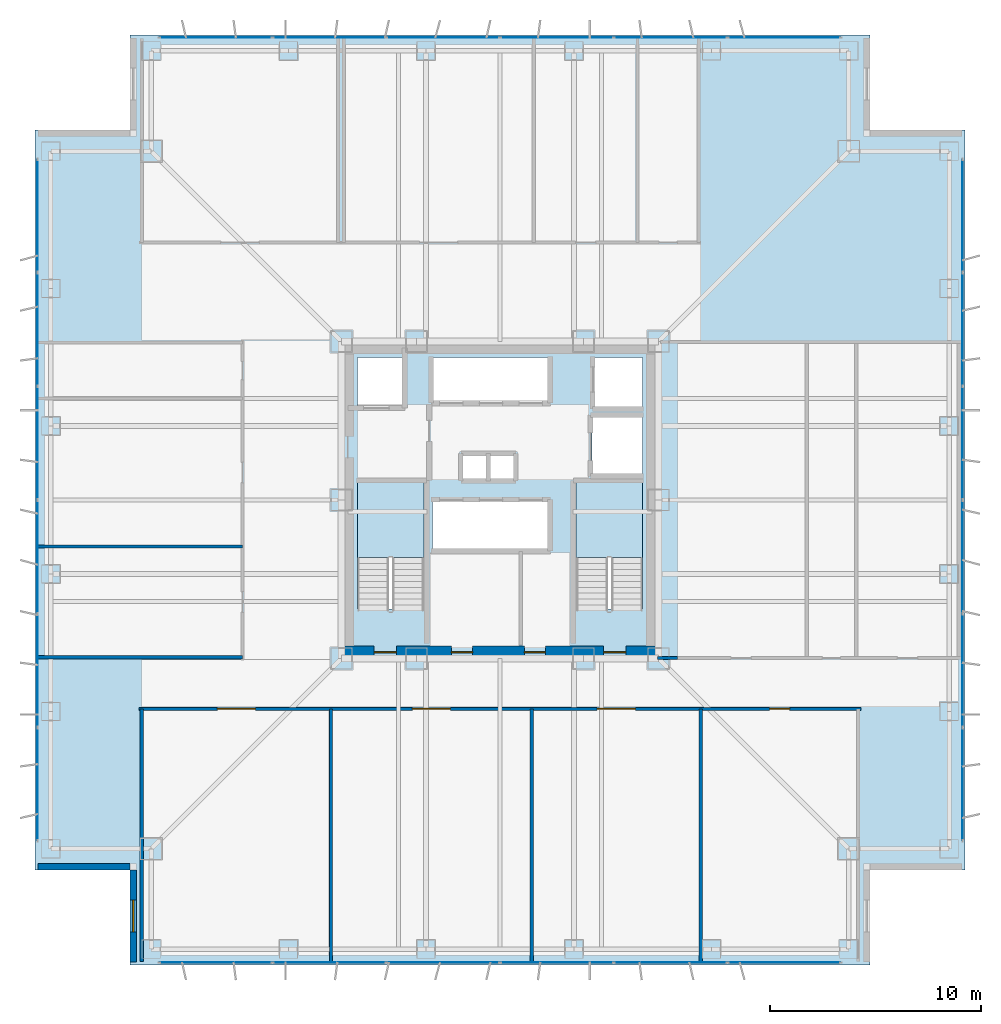
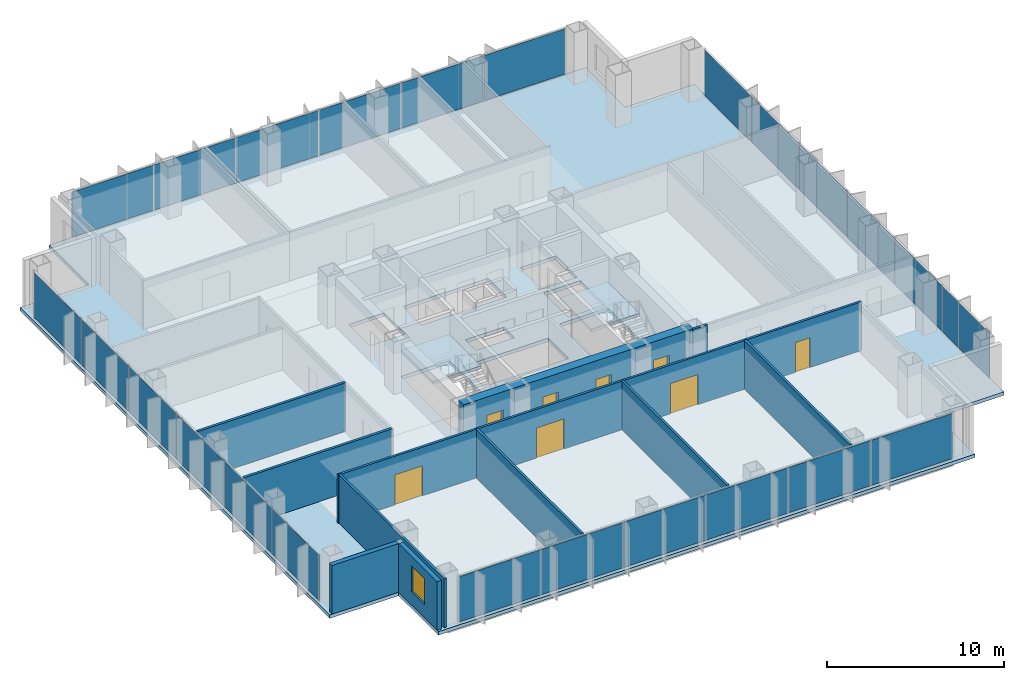
# One storey, part 9 of 14: 24 plates, 11 walls, 8 doors, 3 slabs, 1 window, 9 openings, 6 elements without a shape of their own.
"""IFC4 building model written with IfcOpenShell, lengths in metres."""

from ifc_helpers import new_model, si_unit, direction, frame, frame_2d, origin, origin_2d, place, context, subcontext, project, spatial, polyline, rectangle, outline, extrude, material, layer, layer_set, type_object, element, fill, aggregate, save


model = new_model("IFC4")

# Units and contexts
model_context = context("Model", 3, precision=1e-05, world=origin(), true_north=direction((0.0, 1.0)))
body_context = subcontext(model_context, "Body", "Model", "MODEL_VIEW")
ifc_project = project(units=[si_unit("LENGTHUNIT", "METRE"), si_unit("AREAUNIT", "SQUARE_METRE"), si_unit("VOLUMEUNIT", "CUBIC_METRE"), si_unit("PLANEANGLEUNIT", "RADIAN"), si_unit("MASSUNIT", "GRAM", prefix="KILO")], contexts=[model_context])

# Site, building, storey
site_placement = place(None, origin())
site = spatial("IfcSite", under=ifc_project, at=site_placement, CompositionType="ELEMENT")
building_placement = place(site_placement, origin())
building = spatial("IfcBuilding", under=site, at=building_placement, Name="Trevonay Congress Spire", CompositionType="ELEMENT")
storey_placement = place(building_placement, frame((0.0, 0.0, 137.199951171875)))
storey = spatial("IfcBuildingStorey", under=building, at=storey_placement, Name="L35", CompositionType="ELEMENT", Elevation=137.199951171875)

# Curtain wall, plates
ifc_material_1 = material(Name="Pale Anodised Aluminium EN AW-6063-T6", Category="aluminium")
ifc_layer_1 = layer(ifc_material_1, 0.175048828125, Name="Pale Anodised Aluminium EN AW-6063-T6")
ifc_layer_set_1 = layer_set([ifc_layer_1], Name="Pale Anodised Aluminium EN AW-6063-T6")
curtain_wall_type = type_object("IfcCurtainWallType", Name="CW-SYS03-CONGRESS-PALE-METAL", PredefinedType="NOTDEFINED", material=ifc_layer_set_1)
curtain_wall_1_placement = place(storey_placement, origin())
curtain_wall_1 = element("IfcCurtainWall", 1, at=curtain_wall_1_placement, inside=storey, type_object=curtain_wall_type, Name="L35 S unitised curtain wall", PredefinedType="NOTDEFINED")
ifc_material_2 = material(Name="Insulated Low-E Vision Glass IGU", Category="glass")
ifc_layer_2 = layer(ifc_material_2, 0.035888671875, Name="Insulated Low-E Vision Glass IGU")
ifc_layer_set_2 = layer_set([ifc_layer_2], Name="Insulated Low-E Vision Glass IGU")
plate_type = type_object("IfcPlateType", Name="CW-PANEL-IGU36-SILVER", PredefinedType="CURTAIN_PANEL", material=ifc_layer_set_2)
plate_1_placement = place(storey_placement, frame((-13.443359375, -21.8798828125, 0.119873046875), z_axis=(0.0, 0.0, 1.0), x_axis=(1.0, 0.0, 0.0)))
plate_1 = element("IfcPlate", 2, at=plate_1_placement, type_object=plate_type, Name="CW03 panel 1.1", PredefinedType="CURTAIN_PANEL", context=body_context, shape_type="SweptSolid", body=[
    extrude(rectangle(XDim=5.293212890625, YDim=0.035888671875, at=origin_2d()), origin(), (0.0, 0.0, 1.0), 3.1201171875),
])
plate_2_placement = place(storey_placement, frame((-8.074951171875, -21.8798828125, 0.119873046875), z_axis=(0.0, 0.0, 1.0), x_axis=(1.0, 0.0, 0.0)))
plate_2 = element("IfcPlate", 3, at=plate_2_placement, type_object=plate_type, Name="CW03 panel 2.1", PredefinedType="CURTAIN_PANEL", context=body_context, shape_type="SweptSolid", body=[
    extrude(rectangle(XDim=5.3232421875, YDim=0.035888671875, at=origin_2d()), origin(), (0.0, 0.0, 1.0), 3.1201171875),
])
plate_3_placement = place(storey_placement, frame((-2.691650390625, -21.8798828125, 0.119873046875), z_axis=(0.0, 0.0, 1.0), x_axis=(1.0, 0.0, 0.0)))
plate_3 = element("IfcPlate", 4, at=plate_3_placement, type_object=plate_type, Name="CW03 panel 3.1", PredefinedType="CURTAIN_PANEL", context=body_context, shape_type="SweptSolid", body=[
    extrude(rectangle(XDim=5.3232421875, YDim=0.035888671875, at=origin_2d()), origin(), (0.0, 0.0, 1.0), 3.1201171875),
])
plate_4_placement = place(storey_placement, frame((2.691650390625, -21.8798828125, 0.119873046875), z_axis=(0.0, 0.0, 1.0), x_axis=(1.0, 0.0, 0.0)))
plate_4 = element("IfcPlate", 5, at=plate_4_placement, type_object=plate_type, Name="CW03 panel 4.1", PredefinedType="CURTAIN_PANEL", context=body_context, shape_type="SweptSolid", body=[
    extrude(rectangle(XDim=5.3232421875, YDim=0.035888671875, at=origin_2d()), origin(), (0.0, 0.0, 1.0), 3.1201171875),
])
plate_5_placement = place(storey_placement, frame((8.074951171875, -21.8798828125, 0.119873046875), z_axis=(0.0, 0.0, 1.0), x_axis=(1.0, 0.0, 0.0)))
plate_5 = element("IfcPlate", 6, at=plate_5_placement, type_object=plate_type, Name="CW03 panel 5.1", PredefinedType="CURTAIN_PANEL", context=body_context, shape_type="SweptSolid", body=[
    extrude(rectangle(XDim=5.3232421875, YDim=0.035888671875, at=origin_2d()), origin(), (0.0, 0.0, 1.0), 3.1201171875),
])
plate_6_placement = place(storey_placement, frame((13.443359375, -21.8798828125, 0.119873046875), z_axis=(0.0, 0.0, 1.0), x_axis=(1.0, 0.0, 0.0)))
plate_6 = element("IfcPlate", 7, at=plate_6_placement, type_object=plate_type, Name="CW03 panel 6.1", PredefinedType="CURTAIN_PANEL", context=body_context, shape_type="SweptSolid", body=[
    extrude(rectangle(XDim=5.293212890625, YDim=0.035888671875, at=origin_2d()), origin(), (0.0, 0.0, 1.0), 3.1201171875),
])
aggregate(curtain_wall_1, [plate_1, plate_2, plate_3, plate_4, plate_5, plate_6])

curtain_wall_2_placement = place(storey_placement, origin())
curtain_wall_2 = element("IfcCurtainWall", 8, at=curtain_wall_2_placement, inside=storey, type_object=curtain_wall_type, Name="L35 N unitised curtain wall", PredefinedType="NOTDEFINED")
plate_7_placement = place(storey_placement, frame((-13.443359375, 21.8798828125, 0.119873046875), z_axis=(0.0, 0.0, 1.0), x_axis=(1.0, 0.0, 0.0)))
plate_7 = element("IfcPlate", 9, at=plate_7_placement, type_object=plate_type, Name="CW03 panel 1.1", PredefinedType="CURTAIN_PANEL", context=body_context, shape_type="SweptSolid", body=[
    extrude(rectangle(XDim=5.293212890625, YDim=0.035888671875, at=origin_2d()), origin(), (0.0, 0.0, 1.0), 3.1201171875),
])
plate_8_placement = place(storey_placement, frame((-8.074951171875, 21.8798828125, 0.119873046875), z_axis=(0.0, 0.0, 1.0), x_axis=(1.0, 0.0, 0.0)))
plate_8 = element("IfcPlate", 10, at=plate_8_placement, type_object=plate_type, Name="CW03 panel 2.1", PredefinedType="CURTAIN_PANEL", context=body_context, shape_type="SweptSolid", body=[
    extrude(rectangle(XDim=5.3232421875, YDim=0.035888671875, at=origin_2d()), origin(), (0.0, 0.0, 1.0), 3.1201171875),
])
plate_9_placement = place(storey_placement, frame((-2.691650390625, 21.8798828125, 0.119873046875), z_axis=(0.0, 0.0, 1.0), x_axis=(1.0, 0.0, 0.0)))
plate_9 = element("IfcPlate", 11, at=plate_9_placement, type_object=plate_type, Name="CW03 panel 3.1", PredefinedType="CURTAIN_PANEL", context=body_context, shape_type="SweptSolid", body=[
    extrude(rectangle(XDim=5.3232421875, YDim=0.035888671875, at=origin_2d()), origin(), (0.0, 0.0, 1.0), 3.1201171875),
])
plate_10_placement = place(storey_placement, frame((2.691650390625, 21.8798828125, 0.119873046875), z_axis=(0.0, 0.0, 1.0), x_axis=(1.0, 0.0, 0.0)))
plate_10 = element("IfcPlate", 12, at=plate_10_placement, type_object=plate_type, Name="CW03 panel 4.1", PredefinedType="CURTAIN_PANEL", context=body_context, shape_type="SweptSolid", body=[
    extrude(rectangle(XDim=5.3232421875, YDim=0.035888671875, at=origin_2d()), origin(), (0.0, 0.0, 1.0), 3.1201171875),
])
plate_11_placement = place(storey_placement, frame((8.074951171875, 21.8798828125, 0.119873046875), z_axis=(0.0, 0.0, 1.0), x_axis=(1.0, 0.0, 0.0)))
plate_11 = element("IfcPlate", 13, at=plate_11_placement, type_object=plate_type, Name="CW03 panel 5.1", PredefinedType="CURTAIN_PANEL", context=body_context, shape_type="SweptSolid", body=[
    extrude(rectangle(XDim=5.3232421875, YDim=0.035888671875, at=origin_2d()), origin(), (0.0, 0.0, 1.0), 3.1201171875),
])
plate_12_placement = place(storey_placement, frame((13.443359375, 21.8798828125, 0.119873046875), z_axis=(0.0, 0.0, 1.0), x_axis=(1.0, 0.0, 0.0)))
plate_12 = element("IfcPlate", 14, at=plate_12_placement, type_object=plate_type, Name="CW03 panel 6.1", PredefinedType="CURTAIN_PANEL", context=body_context, shape_type="SweptSolid", body=[
    extrude(rectangle(XDim=5.293212890625, YDim=0.035888671875, at=origin_2d()), origin(), (0.0, 0.0, 1.0), 3.1201171875),
])
aggregate(curtain_wall_2, [plate_7, plate_8, plate_9, plate_10, plate_11, plate_12])

curtain_wall_3_placement = place(storey_placement, origin())
curtain_wall_3 = element("IfcCurtainWall", 15, at=curtain_wall_3_placement, inside=storey, type_object=curtain_wall_type, Name="L35 W unitised curtain wall", PredefinedType="NOTDEFINED")
plate_13_placement = place(storey_placement, frame((-21.8798828125, -13.443359375, 0.119873046875), z_axis=(0.0, 0.0, 1.0), x_axis=(0.0, 1.0, 0.0)))
plate_13 = element("IfcPlate", 16, at=plate_13_placement, type_object=plate_type, Name="CW03 panel 1.1", PredefinedType="CURTAIN_PANEL", context=body_context, shape_type="SweptSolid", body=[
    extrude(rectangle(XDim=5.293212890625, YDim=0.035888671875, at=origin_2d()), origin(), (0.0, 0.0, 1.0), 3.1201171875),
])
plate_14_placement = place(storey_placement, frame((-21.8798828125, -8.074951171875, 0.119873046875), z_axis=(0.0, 0.0, 1.0), x_axis=(0.0, 1.0, 0.0)))
plate_14 = element("IfcPlate", 17, at=plate_14_placement, type_object=plate_type, Name="CW03 panel 2.1", PredefinedType="CURTAIN_PANEL", context=body_context, shape_type="SweptSolid", body=[
    extrude(rectangle(XDim=5.3232421875, YDim=0.035888671875, at=origin_2d()), origin(), (0.0, 0.0, 1.0), 3.1201171875),
])
plate_15_placement = place(storey_placement, frame((-21.8798828125, -2.691650390625, 0.119873046875), z_axis=(0.0, 0.0, 1.0), x_axis=(0.0, 1.0, 0.0)))
plate_15 = element("IfcPlate", 18, at=plate_15_placement, type_object=plate_type, Name="CW03 panel 3.1", PredefinedType="CURTAIN_PANEL", context=body_context, shape_type="SweptSolid", body=[
    extrude(rectangle(XDim=5.3232421875, YDim=0.035888671875, at=origin_2d()), origin(), (0.0, 0.0, 1.0), 3.1201171875),
])
plate_16_placement = place(storey_placement, frame((-21.8798828125, 2.691650390625, 0.119873046875), z_axis=(0.0, 0.0, 1.0), x_axis=(0.0, 1.0, 0.0)))
plate_16 = element("IfcPlate", 19, at=plate_16_placement, type_object=plate_type, Name="CW03 panel 4.1", PredefinedType="CURTAIN_PANEL", context=body_context, shape_type="SweptSolid", body=[
    extrude(rectangle(XDim=5.3232421875, YDim=0.035888671875, at=origin_2d()), origin(), (0.0, 0.0, 1.0), 3.1201171875),
])
plate_17_placement = place(storey_placement, frame((-21.8798828125, 8.074951171875, 0.119873046875), z_axis=(0.0, 0.0, 1.0), x_axis=(0.0, 1.0, 0.0)))
plate_17 = element("IfcPlate", 20, at=plate_17_placement, type_object=plate_type, Name="CW03 panel 5.1", PredefinedType="CURTAIN_PANEL", context=body_context, shape_type="SweptSolid", body=[
    extrude(rectangle(XDim=5.3232421875, YDim=0.035888671875, at=origin_2d()), origin(), (0.0, 0.0, 1.0), 3.1201171875),
])
plate_18_placement = place(storey_placement, frame((-21.8798828125, 13.443359375, 0.119873046875), z_axis=(0.0, 0.0, 1.0), x_axis=(0.0, 1.0, 0.0)))
plate_18 = element("IfcPlate", 21, at=plate_18_placement, type_object=plate_type, Name="CW03 panel 6.1", PredefinedType="CURTAIN_PANEL", context=body_context, shape_type="SweptSolid", body=[
    extrude(rectangle(XDim=5.293212890625, YDim=0.035888671875, at=origin_2d()), origin(), (0.0, 0.0, 1.0), 3.1201171875),
])
aggregate(curtain_wall_3, [plate_13, plate_14, plate_15, plate_16, plate_17, plate_18])

curtain_wall_4_placement = place(storey_placement, origin())
curtain_wall_4 = element("IfcCurtainWall", 22, at=curtain_wall_4_placement, inside=storey, type_object=curtain_wall_type, Name="L35 E unitised curtain wall", PredefinedType="NOTDEFINED")
plate_19_placement = place(storey_placement, frame((21.8798828125, -13.443359375, 0.119873046875), z_axis=(0.0, 0.0, 1.0), x_axis=(0.0, 1.0, 0.0)))
plate_19 = element("IfcPlate", 23, at=plate_19_placement, type_object=plate_type, Name="CW03 panel 1.1", PredefinedType="CURTAIN_PANEL", context=body_context, shape_type="SweptSolid", body=[
    extrude(rectangle(XDim=5.293212890625, YDim=0.035888671875, at=origin_2d()), origin(), (0.0, 0.0, 1.0), 3.1201171875),
])
plate_20_placement = place(storey_placement, frame((21.8798828125, -8.074951171875, 0.119873046875), z_axis=(0.0, 0.0, 1.0), x_axis=(0.0, 1.0, 0.0)))
plate_20 = element("IfcPlate", 24, at=plate_20_placement, type_object=plate_type, Name="CW03 panel 2.1", PredefinedType="CURTAIN_PANEL", context=body_context, shape_type="SweptSolid", body=[
    extrude(rectangle(XDim=5.3232421875, YDim=0.035888671875, at=origin_2d()), origin(), (0.0, 0.0, 1.0), 3.1201171875),
])
plate_21_placement = place(storey_placement, frame((21.8798828125, -2.691650390625, 0.119873046875), z_axis=(0.0, 0.0, 1.0), x_axis=(0.0, 1.0, 0.0)))
plate_21 = element("IfcPlate", 25, at=plate_21_placement, type_object=plate_type, Name="CW03 panel 3.1", PredefinedType="CURTAIN_PANEL", context=body_context, shape_type="SweptSolid", body=[
    extrude(rectangle(XDim=5.3232421875, YDim=0.035888671875, at=origin_2d()), origin(), (0.0, 0.0, 1.0), 3.1201171875),
])
plate_22_placement = place(storey_placement, frame((21.8798828125, 2.691650390625, 0.119873046875), z_axis=(0.0, 0.0, 1.0), x_axis=(0.0, 1.0, 0.0)))
plate_22 = element("IfcPlate", 26, at=plate_22_placement, type_object=plate_type, Name="CW03 panel 4.1", PredefinedType="CURTAIN_PANEL", context=body_context, shape_type="SweptSolid", body=[
    extrude(rectangle(XDim=5.3232421875, YDim=0.035888671875, at=origin_2d()), origin(), (0.0, 0.0, 1.0), 3.1201171875),
])
plate_23_placement = place(storey_placement, frame((21.8798828125, 8.074951171875, 0.119873046875), z_axis=(0.0, 0.0, 1.0), x_axis=(0.0, 1.0, 0.0)))
plate_23 = element("IfcPlate", 27, at=plate_23_placement, type_object=plate_type, Name="CW03 panel 5.1", PredefinedType="CURTAIN_PANEL", context=body_context, shape_type="SweptSolid", body=[
    extrude(rectangle(XDim=5.3232421875, YDim=0.035888671875, at=origin_2d()), origin(), (0.0, 0.0, 1.0), 3.1201171875),
])
plate_24_placement = place(storey_placement, frame((21.8798828125, 13.443359375, 0.119873046875), z_axis=(0.0, 0.0, 1.0), x_axis=(0.0, 1.0, 0.0)))
plate_24 = element("IfcPlate", 28, at=plate_24_placement, type_object=plate_type, Name="CW03 panel 6.1", PredefinedType="CURTAIN_PANEL", context=body_context, shape_type="SweptSolid", body=[
    extrude(rectangle(XDim=5.293212890625, YDim=0.035888671875, at=origin_2d()), origin(), (0.0, 0.0, 1.0), 3.1201171875),
])
aggregate(curtain_wall_4, [plate_19, plate_20, plate_21, plate_22, plate_23, plate_24])

# Stair, slab
ifc_material_3 = material(Name="Concrete C40/50", Category="concrete")
stair_type_1 = type_object("IfcStairType", Name="STR-ST-1", PredefinedType="HALF_TURN_STAIR", material=ifc_material_3)
stair_1_placement = place(storey_placement, origin())
stair_1 = element("IfcStair", 29, at=stair_1_placement, inside=storey, type_object=stair_type_1, Name="L35 Protected Exit Stair ST-1", PredefinedType="HALF_TURN_STAIR")
ifc_layer_3 = layer(ifc_material_3, 0.199951171875, Name="Concrete C40/50")
ifc_layer_set_3 = layer_set([ifc_layer_3], Name="Concrete C40/50")
slab_type_1 = type_object("IfcSlabType", Name="SLB-STAIR-LAND-200", PredefinedType="LANDING", material=ifc_layer_set_3)
slab_1_placement = place(storey_placement, frame((0.0, 0.0, 1.60009765625)))
slab_1 = element("IfcSlab", 30, at=slab_1_placement, type_object=slab_type_1, Name="ST-1 landing 1", PredefinedType="LANDING", context=body_context, shape_type="SweptSolid", body=[
    extrude(outline(polyline([(-3.60009765625, -2.72998046875), (-3.60009765625, 0.85009765625), (-6.75, 0.85009765625), (-6.75, -2.72998046875), (-3.60009765625, -2.72998046875)])), origin(), (0.0, 0.0, 1.0), 0.199951171875),
])
aggregate(stair_1, [slab_1])

stair_type_2 = type_object("IfcStairType", Name="STR-ST-2", PredefinedType="HALF_TURN_STAIR", material=ifc_material_3)
stair_2_placement = place(storey_placement, origin())
stair_2 = element("IfcStair", 31, at=stair_2_placement, inside=storey, type_object=stair_type_2, Name="L35 Protected Exit Stair ST-2", PredefinedType="HALF_TURN_STAIR")
slab_2_placement = place(storey_placement, frame((0.0, 0.0, 1.60009765625)))
slab_2 = element("IfcSlab", 32, at=slab_2_placement, type_object=slab_type_1, Name="ST-2 landing 1", PredefinedType="LANDING", context=body_context, shape_type="SweptSolid", body=[
    extrude(outline(polyline([(6.75, -2.72998046875), (6.75, 0.85009765625), (3.60009765625, 0.85009765625), (3.60009765625, -2.72998046875), (6.75, -2.72998046875)])), origin(), (0.0, 0.0, 1.0), 0.199951171875),
])
aggregate(stair_2, [slab_2])

# Slab
ifc_layer_4 = layer(ifc_material_3, 0.239990234375, Name="Concrete C40/50")
ifc_layer_set_4 = layer_set([ifc_layer_4], Name="Concrete C40/50")
slab_type_2 = type_object("IfcSlabType", Name="SLB-TOW2-240", PredefinedType="FLOOR", material=ifc_layer_set_4)
slab_3_placement = place(storey_placement, frame((0.0, 0.0, -0.239990234375)))
element("IfcSlab", 33, at=slab_3_placement, inside=storey, type_object=slab_type_2, Name="L35 structural floor slab", PredefinedType="FLOOR", context=body_context, shape_type="SweptSolid", body=[
    extrude(outline(polyline([(-17.5, -22.0), (17.5, -22.0), (17.5, -17.5), (22.0, -17.5), (22.0, 17.5), (17.5, 17.5), (17.5, 22.0), (-17.5, 22.0), (-17.5, 17.5), (-22.0, 17.5), (-22.0, -17.5), (-17.5, -17.5), (-17.5, -22.0)]), holes=[polyline([(-3.60009765625, -5.14990234375), (-3.60009765625, 0.85009765625), (-6.75, 0.85009765625), (-6.75, -5.14990234375), (-3.60009765625, -5.14990234375)]), polyline([(6.75, -5.14990234375), (6.75, 0.85009765625), (3.60009765625, 0.85009765625), (3.60009765625, -5.14990234375), (6.75, -5.14990234375)]), polyline([(-3.199951171875, -2.35009765625), (2.340087890625, -2.35009765625), (2.340087890625, -0.050048828125), (-3.199951171875, -0.050048828125), (-3.199951171875, -2.35009765625)]), polyline([(-3.199951171875, 4.64990234375), (2.340087890625, 4.64990234375), (2.340087890625, 6.75), (-3.199951171875, 6.75), (-3.199951171875, 4.64990234375)]), polyline([(-6.75, 4.35009765625), (-4.449951171875, 4.35009765625), (-4.449951171875, 6.75), (-6.75, 6.75), (-6.75, 4.35009765625)]), polyline([(4.449951171875, 4.35009765625), (6.75, 4.35009765625), (6.75, 6.75), (4.449951171875, 6.75), (4.449951171875, 4.35009765625)]), polyline([(4.35009765625, 1.199951171875), (6.75, 1.199951171875), (6.75, 3.949951171875), (4.35009765625, 3.949951171875), (4.35009765625, 1.199951171875)]), polyline([(-1.800048828125, 0.949951171875), (0.699951171875, 0.949951171875), (0.699951171875, 2.14990234375), (-1.800048828125, 2.14990234375), (-1.800048828125, 0.949951171875)])]), origin(), (0.0, 0.0, 1.0), 0.239990234375),
])

# Wall, openings, doors
ifc_material_4 = material(Name="Concrete C60/75", Category="concrete")
ifc_layer_5 = layer(ifc_material_4, 0.60009765625, Name="Concrete C60/75")
ifc_layer_set_5 = layer_set([ifc_layer_5], Name="Concrete C60/75")
wall_type_1 = type_object("IfcWallType", Name="WAL-CORE-600", PredefinedType="SHEAR", material=ifc_layer_set_5)
wall_1_placement = place(storey_placement, frame((-7.5, -7.199951171875, 0.0), z_axis=(0.0, 0.0, 1.0), x_axis=(1.0, 0.0, 0.0)))
wall_1 = element("IfcWall", 34, at=wall_1_placement, inside=storey, type_object=wall_type_1, Name="L35 South structural core shear wall", PredefinedType="SHEAR", context=body_context, shape_type="SweptSolid", body=[
    extrude(rectangle(XDim=15.0, YDim=0.60009765625, at=frame_2d((7.5, 0.0))), origin(), (0.0, 0.0, 1.0), 3.360107421875),
])
opening_1_placement = place(wall_1_placement, frame((1.550048828125, 0.0, 0.0)))
opening_1 = element("IfcOpeningElement", 35, at=opening_1_placement, cuts=wall_1, Name="Opening D05", PredefinedType="OPENING", context=body_context, shape_type="SweptSolid", body=[
    extrude(rectangle(XDim=1.050048828125, YDim=2.080078125, at=frame_2d((0.52490234375, 1.0400390625))), frame((0.0, 0.31005859375, 0.0), z_axis=(0.0, -1.0, 0.0), x_axis=(1.0, 0.0, 0.0)), (0.0, 0.0, 1.0), 0.6201171875),
])
opening_2_placement = place(wall_1_placement, frame((12.39990234375, 0.0, 0.0)))
opening_2 = element("IfcOpeningElement", 36, at=opening_2_placement, cuts=wall_1, Name="Opening D05", PredefinedType="OPENING", context=body_context, shape_type="SweptSolid", body=[
    extrude(rectangle(XDim=1.050048828125, YDim=2.080078125, at=frame_2d((0.52490234375, 1.0400390625))), frame((0.0, 0.31005859375, 0.0), z_axis=(0.0, -1.0, 0.0), x_axis=(1.0, 0.0, 0.0)), (0.0, 0.0, 1.0), 0.6201171875),
])
opening_3_placement = place(wall_1_placement, frame((5.199951171875, 0.0, 0.0)))
opening_3 = element("IfcOpeningElement", 37, at=opening_3_placement, cuts=wall_1, Name="Opening D06", PredefinedType="OPENING", context=body_context, shape_type="SweptSolid", body=[
    extrude(rectangle(XDim=1.0, YDim=2.080078125, at=frame_2d((0.5, 1.0400390625))), frame((0.0, 0.31005859375, 0.0), z_axis=(0.0, -1.0, 0.0), x_axis=(1.0, 0.0, 0.0)), (0.0, 0.0, 1.0), 0.6201171875),
])
opening_4_placement = place(wall_1_placement, frame((8.64990234375, 0.0, 0.0)))
opening_4 = element("IfcOpeningElement", 38, at=opening_4_placement, cuts=wall_1, Name="Opening D06", PredefinedType="OPENING", context=body_context, shape_type="SweptSolid", body=[
    extrude(rectangle(XDim=1.0, YDim=2.080078125, at=frame_2d((0.5, 1.0400390625))), frame((0.0, 0.31005859375, 0.0), z_axis=(0.0, -1.0, 0.0), x_axis=(1.0, 0.0, 0.0)), (0.0, 0.0, 1.0), 0.6201171875),
])
ifc_material_5 = material(Name="Steel ASTM A572 Grade 50", Category="steel")
door_type_1 = type_object("IfcDoorType", Name="DOR-FIRE-100", OperationType="NOTDEFINED", PredefinedType="DOOR", material=ifc_material_5)
door_1_placement = place(opening_3_placement, origin())
door_1 = element("IfcDoor", 39, at=door_1_placement, inside=storey, type_object=door_type_1, Name="L35 South Core Room 1 Door", OperationType="SINGLE_SWING_LEFT", OverallHeight=2.080078125, OverallWidth=1.0, PredefinedType="DOOR", context=body_context, shape_type="SweptSolid", body=[
    extrude(rectangle(XDim=1.0, YDim=2.080078125, at=frame_2d((0.5, 1.0400390625))), frame((0.0, 0.02490234375, 0.0), z_axis=(0.0, -1.0, 0.0), x_axis=(1.0, 0.0, 0.0)), (0.0, 0.0, 1.0), 0.050048828125),
])
fill(opening_3, door_1)
door_2_placement = place(opening_4_placement, origin())
door_2 = element("IfcDoor", 40, at=door_2_placement, inside=storey, type_object=door_type_1, Name="L35 South Core Room 2 Door", OperationType="SINGLE_SWING_RIGHT", OverallHeight=2.080078125, OverallWidth=1.0, PredefinedType="DOOR", context=body_context, shape_type="SweptSolid", body=[
    extrude(rectangle(XDim=1.0, YDim=2.080078125, at=frame_2d((0.5, 1.0400390625))), frame((0.0, 0.02490234375, 0.0), z_axis=(0.0, -1.0, 0.0), x_axis=(1.0, 0.0, 0.0)), (0.0, 0.0, 1.0), 0.050048828125),
])
fill(opening_4, door_2)
door_type_2 = type_object("IfcDoorType", Name="DOR-STAIR-110", OperationType="NOTDEFINED", PredefinedType="DOOR", material=ifc_material_5)
door_3_placement = place(opening_1_placement, origin())
door_3 = element("IfcDoor", 41, at=door_3_placement, inside=storey, type_object=door_type_2, Name="L35 Protected Stair ST-1 Door", OperationType="SINGLE_SWING_RIGHT", OverallHeight=2.080078125, OverallWidth=1.050048828125, PredefinedType="DOOR", context=body_context, shape_type="SweptSolid", body=[
    extrude(rectangle(XDim=1.050048828125, YDim=2.080078125, at=frame_2d((0.52490234375, 1.0400390625))), frame((0.0, 0.02490234375, 0.0), z_axis=(0.0, -1.0, 0.0), x_axis=(1.0, 0.0, 0.0)), (0.0, 0.0, 1.0), 0.050048828125),
])
fill(opening_1, door_3)
door_4_placement = place(opening_2_placement, origin())
door_4 = element("IfcDoor", 42, at=door_4_placement, inside=storey, type_object=door_type_2, Name="L35 Protected Stair ST-2 Door", OperationType="SINGLE_SWING_LEFT", OverallHeight=2.080078125, OverallWidth=1.050048828125, PredefinedType="DOOR", context=body_context, shape_type="SweptSolid", body=[
    extrude(rectangle(XDim=1.050048828125, YDim=2.080078125, at=frame_2d((0.52490234375, 1.0400390625))), frame((0.0, 0.02490234375, 0.0), z_axis=(0.0, -1.0, 0.0), x_axis=(1.0, 0.0, 0.0)), (0.0, 0.0, 1.0), 0.050048828125),
])
fill(opening_2, door_4)

ifc_layer_6 = layer(ifc_material_3, 0.14990234375, Name="Concrete C40/50")
ifc_layer_set_6 = layer_set([ifc_layer_6], Name="Concrete C40/50")
wall_type_2 = type_object("IfcWallType", Name="WAL-CORR-150", PredefinedType="PARTITIONING", material=ifc_layer_set_6)
wall_2_placement = place(storey_placement, frame((-17.070068359375, -9.8798828125, 0.0), z_axis=(0.0, 0.0, 1.0), x_axis=(1.0, 0.0, 0.0)))
wall_2 = element("IfcWall", 43, at=wall_2_placement, inside=storey, type_object=wall_type_2, Name="L35 interior wall WP-L35S-COR", PredefinedType="PARTITIONING", context=body_context, shape_type="SweptSolid", body=[
    extrude(rectangle(XDim=34.14013671875, YDim=0.14990234375, at=frame_2d((17.070068359375, 0.0))), origin(), (0.0, 0.0, 1.0), 3.360107421875),
])
opening_5_placement = place(wall_2_placement, frame((3.695068359375, 0.0, 0.0)))
opening_5 = element("IfcOpeningElement", 44, at=opening_5_placement, cuts=wall_2, Name="Opening D09", PredefinedType="OPENING", context=body_context, shape_type="SweptSolid", body=[
    extrude(rectangle(XDim=1.800048828125, YDim=2.080078125, at=frame_2d((0.89990234375, 1.0400390625))), frame((0.0, 0.0849609375, 0.0), z_axis=(0.0, -1.0, 0.0), x_axis=(1.0, 0.0, 0.0)), (0.0, 0.0, 1.0), 0.169921875),
])
opening_6_placement = place(wall_2_placement, frame((12.919921875, 0.0, 0.0)))
opening_6 = element("IfcOpeningElement", 45, at=opening_6_placement, cuts=wall_2, Name="Opening D09", PredefinedType="OPENING", context=body_context, shape_type="SweptSolid", body=[
    extrude(rectangle(XDim=1.800048828125, YDim=2.080078125, at=frame_2d((0.89990234375, 1.0400390625))), frame((0.0, 0.0849609375, 0.0), z_axis=(0.0, -1.0, 0.0), x_axis=(1.0, 0.0, 0.0)), (0.0, 0.0, 1.0), 0.169921875),
])
opening_7_placement = place(wall_2_placement, frame((21.669921875, 0.0, 0.0)))
opening_7 = element("IfcOpeningElement", 46, at=opening_7_placement, cuts=wall_2, Name="Opening D09", PredefinedType="OPENING", context=body_context, shape_type="SweptSolid", body=[
    extrude(rectangle(XDim=1.800048828125, YDim=2.080078125, at=frame_2d((0.89990234375, 1.0400390625))), frame((0.0, 0.0849609375, 0.0), z_axis=(0.0, -1.0, 0.0), x_axis=(1.0, 0.0, 0.0)), (0.0, 0.0, 1.0), 0.169921875),
])
opening_8_placement = place(wall_2_placement, frame((29.820068359375, 0.0, 0.0)))
opening_8 = element("IfcOpeningElement", 47, at=opening_8_placement, cuts=wall_2, Name="Opening D07", PredefinedType="OPENING", context=body_context, shape_type="SweptSolid", body=[
    extrude(rectangle(XDim=0.949951171875, YDim=2.06005859375, at=frame_2d((0.47509765625, 1.030029296875))), frame((0.0, 0.0849609375, 0.0), z_axis=(0.0, -1.0, 0.0), x_axis=(1.0, 0.0, 0.0)), (0.0, 0.0, 1.0), 0.169921875),
])
door_type_3 = type_object("IfcDoorType", Name="DOR-CONF-DBL", OperationType="DOUBLE_DOOR_SINGLE_SWING", PredefinedType="DOOR", material=ifc_material_1)
door_5_placement = place(opening_5_placement, origin())
door_5 = element("IfcDoor", 48, at=door_5_placement, inside=storey, type_object=door_type_3, Name="L35 Diplomatic Academy Lecture Room 1 Door", OperationType="DOUBLE_DOOR_SINGLE_SWING", OverallHeight=2.080078125, OverallWidth=1.800048828125, PredefinedType="DOOR", context=body_context, shape_type="SweptSolid", body=[
    extrude(rectangle(XDim=1.800048828125, YDim=2.080078125, at=frame_2d((0.89990234375, 1.0400390625))), frame((0.0, 0.02490234375, 0.0), z_axis=(0.0, -1.0, 0.0), x_axis=(1.0, 0.0, 0.0)), (0.0, 0.0, 1.0), 0.050048828125),
])
fill(opening_5, door_5)
door_6_placement = place(opening_6_placement, origin())
door_6 = element("IfcDoor", 49, at=door_6_placement, inside=storey, type_object=door_type_3, Name="L35 Language Lab Classroom 2 Door", OperationType="DOUBLE_DOOR_SINGLE_SWING", OverallHeight=2.080078125, OverallWidth=1.800048828125, PredefinedType="DOOR", context=body_context, shape_type="SweptSolid", body=[
    extrude(rectangle(XDim=1.800048828125, YDim=2.080078125, at=frame_2d((0.89990234375, 1.0400390625))), frame((0.0, 0.02490234375, 0.0), z_axis=(0.0, -1.0, 0.0), x_axis=(1.0, 0.0, 0.0)), (0.0, 0.0, 1.0), 0.050048828125),
])
fill(opening_6, door_6)
door_7_placement = place(opening_7_placement, origin())
door_7 = element("IfcDoor", 50, at=door_7_placement, inside=storey, type_object=door_type_3, Name="L35 Reference Library Reading Hall Door", OperationType="DOUBLE_DOOR_SINGLE_SWING", OverallHeight=2.080078125, OverallWidth=1.800048828125, PredefinedType="DOOR", context=body_context, shape_type="SweptSolid", body=[
    extrude(rectangle(XDim=1.800048828125, YDim=2.080078125, at=frame_2d((0.89990234375, 1.0400390625))), frame((0.0, 0.02490234375, 0.0), z_axis=(0.0, -1.0, 0.0), x_axis=(1.0, 0.0, 0.0)), (0.0, 0.0, 1.0), 0.050048828125),
])
fill(opening_7, door_7)
door_type_4 = type_object("IfcDoorType", Name="DOR-OFFICE-95", OperationType="NOTDEFINED", PredefinedType="DOOR", material=ifc_material_1)
door_8_placement = place(opening_8_placement, origin())
door_8 = element("IfcDoor", 51, at=door_8_placement, inside=storey, type_object=door_type_4, Name="L35 Library Catalogue Office Door", OperationType="SINGLE_SWING_RIGHT", OverallHeight=2.06005859375, OverallWidth=0.949951171875, PredefinedType="DOOR", context=body_context, shape_type="SweptSolid", body=[
    extrude(rectangle(XDim=0.949951171875, YDim=2.06005859375, at=frame_2d((0.47509765625, 1.030029296875))), frame((0.0, 0.02490234375, 0.0), z_axis=(0.0, -1.0, 0.0), x_axis=(1.0, 0.0, 0.0)), (0.0, 0.0, 1.0), 0.050048828125),
])
fill(opening_8, door_8)

# Wall
wall_3_placement = place(storey_placement, frame((7.449951171875, -7.47998046875, 0.0), z_axis=(0.0, 0.0, 1.0), x_axis=(1.0, 0.0, 0.0)))
element("IfcWall", 52, at=wall_3_placement, inside=storey, type_object=wall_type_2, Name="L35 interior wall WP-L35E-STUB", PredefinedType="PARTITIONING", context=body_context, shape_type="SweptSolid", body=[
    extrude(rectangle(XDim=0.949951171875, YDim=0.14990234375, at=frame_2d((0.47509765625, 0.0))), origin(), (0.0, 0.0, 1.0), 3.360107421875),
])

# Wall, opening, window
ifc_material_6 = material(Name="Precast concrete C40/50", Category="concrete")
ifc_layer_7 = layer(ifc_material_6, 0.300048828125, Name="Precast concrete C40/50")
ifc_layer_set_7 = layer_set([ifc_layer_7], Name="Precast concrete C40/50")
wall_type_3 = type_object("IfcWallType", Name="WAL-EXT-PRECAST-300", PredefinedType="SOLIDWALL", material=ifc_layer_set_7)
wall_4_placement = place(storey_placement, frame((-17.35009765625, -21.85009765625, 0.0), z_axis=(0.0, 0.0, 1.0), x_axis=(0.0, 1.0, 0.0)))
wall_4 = element("IfcWall", 53, at=wall_4_placement, inside=storey, type_object=wall_type_3, Name="L35 SW re-entrant notch exterior wall 1", PredefinedType="SOLIDWALL", context=body_context, shape_type="SweptSolid", body=[
    extrude(rectangle(XDim=4.35009765625, YDim=0.300048828125, at=frame_2d((2.175048828125, 0.0))), origin(), (0.0, 0.0, 1.0), 3.360107421875),
])
opening_9_placement = place(wall_4_placement, frame((1.425048828125, 0.0, 0.89990234375)))
opening_9 = element("IfcOpeningElement", 54, at=opening_9_placement, cuts=wall_4, Name="Opening WN03", PredefinedType="OPENING", context=body_context, shape_type="SweptSolid", body=[
    extrude(rectangle(XDim=1.5, YDim=1.800048828125, at=frame_2d((0.75, 0.89990234375))), frame((0.0, 0.16015625, 0.0), z_axis=(0.0, -1.0, 0.0), x_axis=(1.0, 0.0, 0.0)), (0.0, 0.0, 1.0), 0.320068359375),
])
window_type = type_object("IfcWindowType", Name="WIN-NOTCH-150X180", PartitioningType="SINGLE_PANEL", PredefinedType="WINDOW", material=ifc_material_2)
window_placement = place(opening_9_placement, origin())
window = element("IfcWindow", 55, at=window_placement, inside=storey, type_object=window_type, Name="L35 SW corner notch window", OverallHeight=1.800048828125, OverallWidth=1.5, PartitioningType="SINGLE_PANEL", PredefinedType="WINDOW", context=body_context, shape_type="SweptSolid", body=[
    extrude(rectangle(XDim=1.5, YDim=1.800048828125, at=frame_2d((0.75, 0.89990234375))), frame((0.0, 0.030029296875, 0.0), z_axis=(0.0, -1.0, 0.0), x_axis=(1.0, 0.0, 0.0)), (0.0, 0.0, 1.0), 0.06005859375),
])
fill(opening_9, window)

# Walls
wall_5_placement = place(storey_placement, frame((-21.85009765625, -17.35009765625, 0.0), z_axis=(0.0, 0.0, 1.0), x_axis=(1.0, 0.0, 0.0)))
element("IfcWall", 56, at=wall_5_placement, inside=storey, type_object=wall_type_3, Name="L35 SW re-entrant notch exterior wall 2", PredefinedType="SOLIDWALL", context=body_context, shape_type="SweptSolid", body=[
    extrude(rectangle(XDim=4.35009765625, YDim=0.300048828125, at=frame_2d((2.175048828125, 0.0))), origin(), (0.0, 0.0, 1.0), 3.360107421875),
])
ifc_layer_8 = layer(ifc_material_3, 0.14990234375, Name="Concrete C40/50")
ifc_layer_set_8 = layer_set([ifc_layer_8], Name="Concrete C40/50")
wall_type_4 = type_object("IfcWallType", Name="WAL-PART-150", PredefinedType="PARTITIONING", material=ifc_layer_set_8)
for number, where, z_axis, x_axis, name in (
    (57, (-16.949951171875, -21.820068359375, 0.0), (0.0, 0.0, 1.0), (0.0, 1.0, 0.0), "L35 interior wall WP-L35S-DIV1"),
    (58, (-8.0, -21.820068359375, 0.0), (0.0, 0.0, 1.0), (0.0, 1.0, 0.0), "L35 interior wall WP-L35S-DIV2"),
    (59, (1.5, -21.820068359375, 0.0), (0.0, 0.0, 1.0), (0.0, 1.0, 0.0), "L35 interior wall WP-L35S-DIV3"),
    (60, (9.5, -21.820068359375, 0.0), (0.0, 0.0, 1.0), (0.0, 1.0, 0.0), "L35 interior wall WP-L35S-DIV4"),
):
    element("IfcWall", number, at=place(storey_placement, frame(where, z_axis=z_axis, x_axis=x_axis)), inside=storey, type_object=wall_type_4, Name=name, PredefinedType="PARTITIONING", context=body_context, shape_type="SweptSolid", body=[
        extrude(rectangle(XDim=11.940185546875, YDim=0.14990234375, at=frame_2d((5.97021484375, 0.0))), origin(), (0.0, 0.0, 1.0), 3.360107421875),
    ])
ifc_layer_9 = layer(ifc_material_3, 0.1650390625, Name="Concrete C40/50")
ifc_layer_set_9 = layer_set([ifc_layer_9], Name="Concrete C40/50")
wall_type_5 = type_object("IfcWallType", Name="WAL-WET-165", PredefinedType="PLUMBINGWALL", material=ifc_layer_set_9)
for number, where, z_axis, x_axis, name in (
    (61, (-21.820068359375, -7.449951171875, 0.0), (0.0, 0.0, 1.0), (1.0, 0.0, 0.0), "L35 interior wall WP-L35W-DIV1"),
    (62, (-21.820068359375, -2.199951171875, 0.0), (0.0, 0.0, 1.0), (1.0, 0.0, 0.0), "L35 interior wall WP-L35W-DIV2"),
):
    element("IfcWall", number, at=place(storey_placement, frame(where, z_axis=z_axis, x_axis=x_axis)), inside=storey, type_object=wall_type_5, Name=name, PredefinedType="PLUMBINGWALL", context=body_context, shape_type="SweptSolid", body=[
        extrude(rectangle(XDim=9.64013671875, YDim=0.1650390625, at=frame_2d((4.820068359375, 0.0))), origin(), (0.0, 0.0, 1.0), 3.360107421875),
    ])

save(model, "model.ifc")
